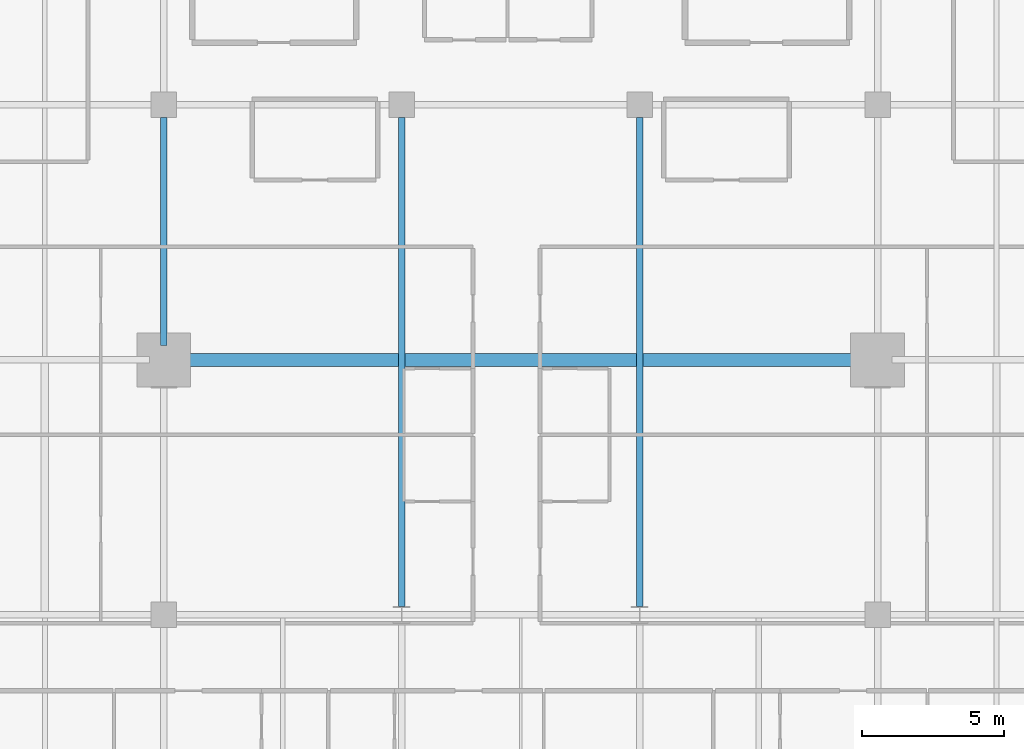
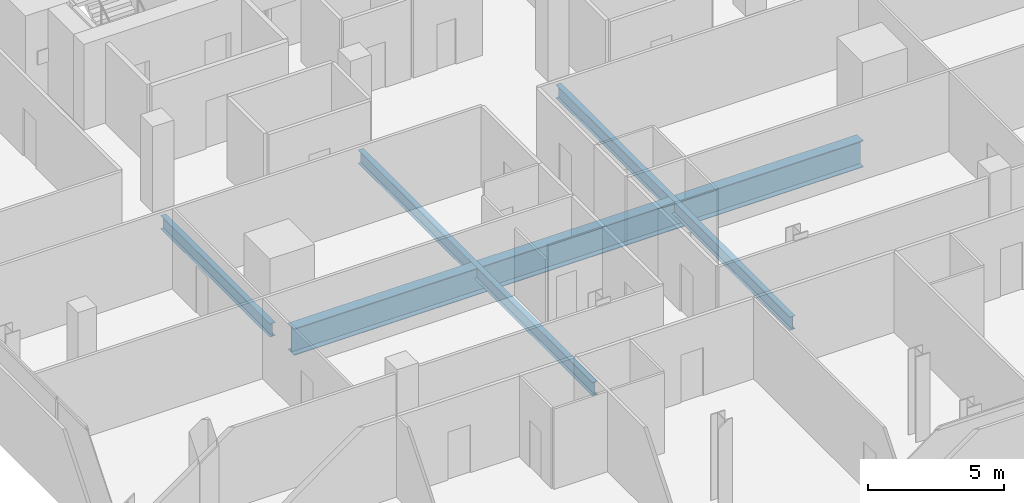
# One storey, part 11 of 33: 4 beams.
"""IFC4 building model written with IfcOpenShell, lengths in metres."""

from ifc_helpers import new_model, si_unit, direction, frame, origin, origin_2d, place, context, subcontext, project, spatial, i_section, extrude, material, material_profile, profile_set, type_object, element, save


model = new_model("IFC4")

# Units and contexts
model_context = context("Model", 3, precision=1e-05, world=origin(), true_north=direction((0.0, 1.0)))
body_context = subcontext(model_context, "Body", "Model", "MODEL_VIEW")
ifc_project = project(units=[si_unit("LENGTHUNIT", "METRE"), si_unit("AREAUNIT", "SQUARE_METRE"), si_unit("VOLUMEUNIT", "CUBIC_METRE"), si_unit("PLANEANGLEUNIT", "RADIAN"), si_unit("MASSUNIT", "GRAM", prefix="KILO")], contexts=[model_context])

# Site, building, storey
site_placement = place(None, origin())
site = spatial("IfcSite", under=ifc_project, at=site_placement, CompositionType="ELEMENT")
building_placement = place(site_placement, origin())
building = spatial("IfcBuilding", under=site, at=building_placement, Name="Maruvema Waterfront Hotel and Observation Tower", CompositionType="ELEMENT")
storey_placement = place(building_placement, frame((0.0, 0.0, 169.75)))
storey = spatial("IfcBuildingStorey", under=building, at=storey_placement, Name="L41", CompositionType="ELEMENT", Elevation=169.75)

# Beams
ifc_material_1 = material(Name="Steel ASTM A572 Grade 50", Category="steel")
ifc_material_profile_1 = material_profile(ifc_material_1, i_section(OverallWidth=0.22802734375, OverallDepth=0.60302734375, WebThickness=0.010498046875, FlangeThickness=0.014892578125, FilletRadius=0.01806640625, at=origin_2d()), Name="W610x101.0")
ifc_profile_set_1 = profile_set([ifc_material_profile_1], Name="Steel ASTM A572 Grade 50")
beam_type_1 = type_object("IfcBeamType", Name="Primary Floor Girder W610x101.0", PredefinedType="BEAM", material=ifc_profile_set_1)
beam_1_placement = place(storey_placement, frame((25.199951171875, 27.5, -0.54150390625), z_axis=(0.0, 1.0, 0.0), x_axis=(-1.0, 0.0, 0.0)))
element("IfcBeam", 1, at=beam_1_placement, inside=storey, type_object=beam_type_1, Name="L41 Floor Girder NS-12", PredefinedType="BEAM", context=body_context, shape_type="SweptSolid", body=[
    extrude(i_section(OverallWidth=0.22802734375, OverallDepth=0.60302734375, WebThickness=0.010498046875, FlangeThickness=0.014892578125, FilletRadius=0.01806640625, at=origin_2d()), origin(), (0.0, 0.0, 1.0), 8.050048828125),
])
for number, where, z_axis, x_axis, name in (
    (2, (33.60009765625, 18.300048828125, -0.54150390625), (0.0, 1.0, 0.0), (-1.0, 0.0, 0.0), "L41 Floor Girder NS-16"),
    (3, (42.0, 18.300048828125, -0.54150390625), (0.0, 1.0, 0.0), (-1.0, 0.0, 0.0), "L41 Floor Girder NS-19"),
):
    element("IfcBeam", number, at=place(storey_placement, frame(where, z_axis=z_axis, x_axis=x_axis)), inside=storey, type_object=beam_type_1, Name=name, PredefinedType="BEAM", context=body_context, shape_type="SweptSolid", body=[
        extrude(i_section(OverallWidth=0.22802734375, OverallDepth=0.60302734375, WebThickness=0.010498046875, FlangeThickness=0.014892578125, FilletRadius=0.01806640625, at=origin_2d()), origin(), (0.0, 0.0, 1.0), 17.25),
    ])
ifc_material_2 = material(Name="Steel ABNT NBR 7007 AR 415 (ASTM A572 Grade 50)", Category="steel")
ifc_material_profile_2 = material_profile(ifc_material_2, i_section(OverallWidth=0.449951171875, OverallDepth=1.199951171875, WebThickness=0.01904296875, FlangeThickness=0.031982421875, at=origin_2d()), Name="VS1200x366")
ifc_profile_set_2 = profile_set([ifc_material_profile_2], Name="Steel ABNT NBR 7007 AR 415 (ASTM A572 Grade 50)")
beam_type_2 = type_object("IfcBeamType", Name="Upper Setback Transfer Girder VS1200x366", PredefinedType="USERDEFINED", material=ifc_profile_set_2)
beam_2_placement = place(storey_placement, frame((25.699951171875, 27.0, -0.840087890625), z_axis=(1.0, 0.0, 0.0), x_axis=(0.0, 1.0, 0.0)))
element("IfcBeam", 4, at=beam_2_placement, inside=storey, type_object=beam_type_2, Name="L41 Floor Girder EW-20", ObjectType="TRANSFER GIRDER", PredefinedType="USERDEFINED", context=body_context, shape_type="SweptSolid", body=[
    extrude(i_section(OverallWidth=0.449951171875, OverallDepth=1.199951171875, WebThickness=0.01904296875, FlangeThickness=0.031982421875, at=origin_2d()), origin(), (0.0, 0.0, 1.0), 24.199951171875),
])

save(model, "model.ifc")
